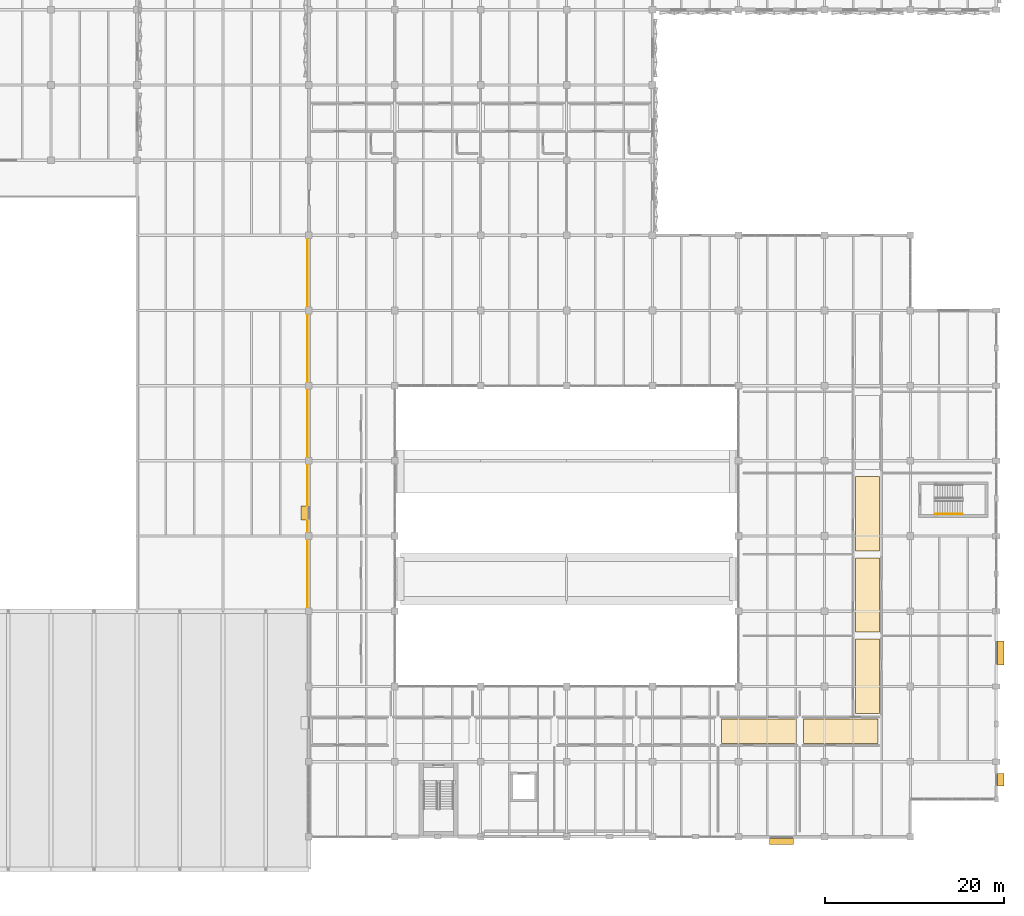
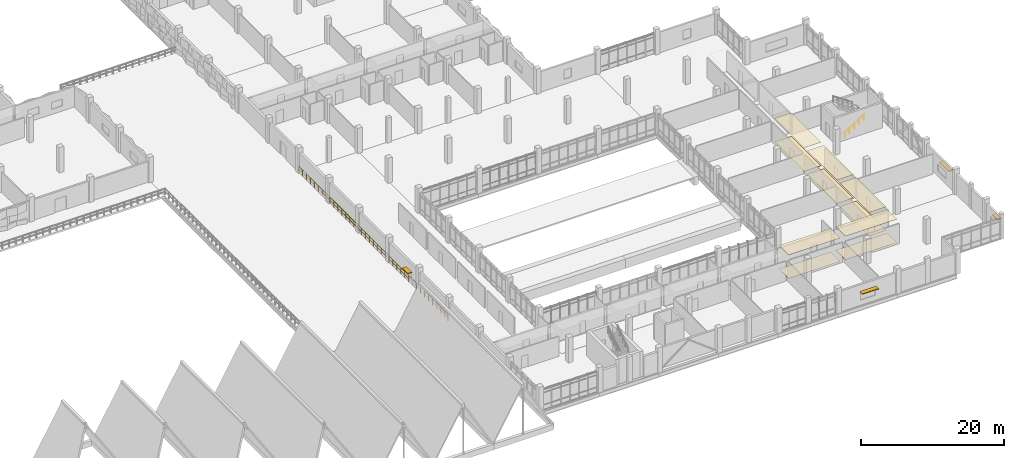
# One storey, part 79 of 86: 10 coverings, 4 shading devices, 2 railings.
"""IFC4 building model written with IfcOpenShell, lengths in metres."""

from ifc_helpers import new_model, si_unit, direction, frame, origin, origin_2d, place, context, subcontext, project, spatial, polyline, rectangle, circle, outline, extrude, material, layer, layer_set, type_object, element, save


model = new_model("IFC4")

# Units and contexts
model_context = context("Model", 3, precision=1e-05, world=origin(), true_north=direction((0.0, 1.0)))
body_context = subcontext(model_context, "Body", "Model", "MODEL_VIEW")
ifc_project = project(units=[si_unit("LENGTHUNIT", "METRE"), si_unit("AREAUNIT", "SQUARE_METRE"), si_unit("VOLUMEUNIT", "CUBIC_METRE"), si_unit("PLANEANGLEUNIT", "RADIAN"), si_unit("MASSUNIT", "GRAM", prefix="KILO")], contexts=[model_context])

# Site, building, storey
site_placement = place(None, origin())
site = spatial("IfcSite", under=ifc_project, at=site_placement, CompositionType="ELEMENT")
building_placement = place(site_placement, origin())
building = spatial("IfcBuilding", under=site, at=building_placement, Name="Oolite Switchyard Hospital", CompositionType="ELEMENT")
storey_placement = place(building_placement, frame((0.0, 0.0, 13.5)))
storey = spatial("IfcBuildingStorey", under=building, at=storey_placement, Name="L03", CompositionType="ELEMENT", Elevation=13.5)

# Coverings
ifc_material_1 = material(Name="Hygienic washable mineral-fibre acoustic ceiling")
ifc_layer_1 = layer(ifc_material_1, 0.0400390625)
ifc_layer_set_1 = layer_set([ifc_layer_1], Name="COV-CEIL-AC60")
covering_type_1 = type_object("IfcCoveringType", Name="COV-CEIL-AC60", PredefinedType="CEILING", material=ifc_layer_set_1)
covering_1_placement = place(storey_placement, frame((0.0, 0.0, 3.985107421875)))
element("IfcCovering", 1, at=covering_1_placement, inside=storey, type_object=covering_type_1, Name="L03 Pediatric Outpatient Clinic Corridor Ceiling 6", PredefinedType="CEILING", context=body_context, shape_type="SweptSolid", body=[
    extrude(outline(polyline([(180.514892578125, 18.85009765625), (188.85791015625, 18.85009765625), (188.85791015625, 21.550048828125), (180.514892578125, 21.550048828125), (180.514892578125, 18.85009765625)])), origin(), (0.0, 0.0, 1.0), 0.039794921875),
])
covering_2_placement = place(storey_placement, frame((0.0, 0.0, 3.985107421875)))
element("IfcCovering", 2, at=covering_2_placement, inside=storey, type_object=covering_type_1, Name="L03 Pediatric Outpatient Clinic Corridor Ceiling 7", PredefinedType="CEILING", context=body_context, shape_type="SweptSolid", body=[
    extrude(outline(polyline([(189.657958984375, 18.85009765625), (198.0009765625, 18.85009765625), (198.0009765625, 21.550048828125), (189.657958984375, 21.550048828125), (189.657958984375, 18.85009765625)])), origin(), (0.0, 0.0, 1.0), 0.039794921875),
])
covering_3_placement = place(storey_placement, frame((0.0, 0.0, 3.985107421875)))
element("IfcCovering", 3, at=covering_3_placement, inside=storey, type_object=covering_type_1, Name="L03 Maternal Fetal Medicine Corridor Ceiling 1", PredefinedType="CEILING", context=body_context, shape_type="SweptSolid", body=[
    extrude(outline(polyline([(195.449951171875, 22.199951171875), (198.14990234375, 22.199951171875), (198.14990234375, 30.47998046875), (195.449951171875, 30.47998046875), (195.449951171875, 22.199951171875)])), origin(), (0.0, 0.0, 1.0), 0.039794921875),
])
covering_4_placement = place(storey_placement, frame((0.0, 0.0, 3.985107421875)))
element("IfcCovering", 4, at=covering_4_placement, inside=storey, type_object=covering_type_1, Name="L03 Maternal Fetal Medicine Corridor Ceiling 2", PredefinedType="CEILING", context=body_context, shape_type="SweptSolid", body=[
    extrude(outline(polyline([(195.449951171875, 31.280029296875), (198.14990234375, 31.280029296875), (198.14990234375, 39.56005859375), (195.449951171875, 39.56005859375), (195.449951171875, 31.280029296875)])), origin(), (0.0, 0.0, 1.0), 0.039794921875),
])
covering_5_placement = place(storey_placement, frame((0.0, 0.0, 3.985107421875)))
element("IfcCovering", 5, at=covering_5_placement, inside=storey, type_object=covering_type_1, Name="L03 Maternal Fetal Medicine Corridor Ceiling 3", PredefinedType="CEILING", context=body_context, shape_type="SweptSolid", body=[
    extrude(outline(polyline([(195.449951171875, 40.360107421875), (198.14990234375, 40.360107421875), (198.14990234375, 48.639892578125), (195.449951171875, 48.639892578125), (195.449951171875, 40.360107421875)])), origin(), (0.0, 0.0, 1.0), 0.039794921875),
])
ifc_material_2 = material(Name="Epoxy terrazzo seamless clinical flooring")
ifc_layer_2 = layer(ifc_material_2, 0.02001953125)
ifc_layer_set_2 = layer_set([ifc_layer_2], Name="COV-FLR-TER20")
covering_type_2 = type_object("IfcCoveringType", Name="COV-FLR-TER20", PredefinedType="FLOORING", material=ifc_layer_set_2)
covering_6_placement = place(storey_placement, origin())
element("IfcCovering", 6, at=covering_6_placement, inside=storey, type_object=covering_type_2, Name="L03 Pediatric Outpatient Clinic Corridor Flooring 6", PredefinedType="FLOORING", context=body_context, shape_type="SweptSolid", body=[
    extrude(outline(polyline([(180.514892578125, 18.85009765625), (188.85791015625, 18.85009765625), (188.85791015625, 21.550048828125), (180.514892578125, 21.550048828125), (180.514892578125, 18.85009765625)])), origin(), (0.0, 0.0, 1.0), 0.02001953125),
])
covering_7_placement = place(storey_placement, origin())
element("IfcCovering", 7, at=covering_7_placement, inside=storey, type_object=covering_type_2, Name="L03 Pediatric Outpatient Clinic Corridor Flooring 7", PredefinedType="FLOORING", context=body_context, shape_type="SweptSolid", body=[
    extrude(outline(polyline([(189.657958984375, 18.85009765625), (198.0009765625, 18.85009765625), (198.0009765625, 21.550048828125), (189.657958984375, 21.550048828125), (189.657958984375, 18.85009765625)])), origin(), (0.0, 0.0, 1.0), 0.02001953125),
])
covering_8_placement = place(storey_placement, origin())
element("IfcCovering", 8, at=covering_8_placement, inside=storey, type_object=covering_type_2, Name="L03 Maternal Fetal Medicine Corridor Flooring 1", PredefinedType="FLOORING", context=body_context, shape_type="SweptSolid", body=[
    extrude(outline(polyline([(195.449951171875, 22.199951171875), (198.14990234375, 22.199951171875), (198.14990234375, 30.47998046875), (195.449951171875, 30.47998046875), (195.449951171875, 22.199951171875)])), origin(), (0.0, 0.0, 1.0), 0.02001953125),
])
covering_9_placement = place(storey_placement, origin())
element("IfcCovering", 9, at=covering_9_placement, inside=storey, type_object=covering_type_2, Name="L03 Maternal Fetal Medicine Corridor Flooring 2", PredefinedType="FLOORING", context=body_context, shape_type="SweptSolid", body=[
    extrude(outline(polyline([(195.449951171875, 31.280029296875), (198.14990234375, 31.280029296875), (198.14990234375, 39.56005859375), (195.449951171875, 39.56005859375), (195.449951171875, 31.280029296875)])), origin(), (0.0, 0.0, 1.0), 0.02001953125),
])
covering_10_placement = place(storey_placement, origin())
element("IfcCovering", 10, at=covering_10_placement, inside=storey, type_object=covering_type_2, Name="L03 Maternal Fetal Medicine Corridor Flooring 3", PredefinedType="FLOORING", context=body_context, shape_type="SweptSolid", body=[
    extrude(outline(polyline([(195.449951171875, 40.360107421875), (198.14990234375, 40.360107421875), (198.14990234375, 48.639892578125), (195.449951171875, 48.639892578125), (195.449951171875, 40.360107421875)])), origin(), (0.0, 0.0, 1.0), 0.02001953125),
])

# Railings
ifc_material_3 = material(Name="Galvanized painted architectural steel guardrail", Category="steel")
railing_type_1 = type_object("IfcRailingType", Name="RL-GUARD-110", PredefinedType="GUARDRAIL", material=ifc_material_3)
railing_1_placement = place(storey_placement, frame((134.25, 33.75, 0.0)))
element("IfcRailing", 11, at=railing_1_placement, inside=storey, type_object=railing_type_1, Name="L03 Terrace Perimeter Guard 6", PredefinedType="GUARDRAIL", context=body_context, shape_type="SweptSolid", body=[
    extrude(circle(Radius=0.02392578125, at=origin_2d()), frame((0.0, 0.0, 1.076171875), z_axis=(0.0, 1.0, 0.0), x_axis=(-1.0, 0.0, 0.0)), (0.0, 0.0, 1.0), 41.699951171875),
    extrude(circle(Radius=0.015625, at=origin_2d()), frame((0.0, 0.0, 0.550048828125), z_axis=(0.0, 1.0, 0.0), x_axis=(-1.0, 0.0, 0.0)), (0.0, 0.0, 1.0), 41.699951171875),
    extrude(circle(Radius=0.02099609375, at=origin_2d()), origin(), (0.0, 0.0, 1.0), 1.052001953125),
    extrude(circle(Radius=0.02099609375, at=origin_2d()), frame((0.0, 1.097412109375, 0.0)), (0.0, 0.0, 1.0), 1.052001953125),
    extrude(circle(Radius=0.02099609375, at=origin_2d()), frame((0.0, 2.19482421875, 0.0)), (0.0, 0.0, 1.0), 1.052001953125),
    extrude(circle(Radius=0.02099609375, at=origin_2d()), frame((0.0, 3.2919921875, 0.0)), (0.0, 0.0, 1.0), 1.052001953125),
    extrude(circle(Radius=0.02099609375, at=origin_2d()), frame((0.0, 4.389404296875, 0.0)), (0.0, 0.0, 1.0), 1.052001953125),
    extrude(circle(Radius=0.02099609375, at=origin_2d()), frame((0.0, 5.48681640625, 0.0)), (0.0, 0.0, 1.0), 1.052001953125),
    extrude(circle(Radius=0.02099609375, at=origin_2d()), frame((0.0, 6.584228515625, 0.0)), (0.0, 0.0, 1.0), 1.052001953125),
    extrude(circle(Radius=0.02099609375, at=origin_2d()), frame((0.0, 7.681640625, 0.0)), (0.0, 0.0, 1.0), 1.052001953125),
    extrude(circle(Radius=0.02099609375, at=origin_2d()), frame((0.0, 8.779052734375, 0.0)), (0.0, 0.0, 1.0), 1.052001953125),
    extrude(circle(Radius=0.02099609375, at=origin_2d()), frame((0.0, 9.876220703125, 0.0)), (0.0, 0.0, 1.0), 1.052001953125),
    extrude(circle(Radius=0.02099609375, at=origin_2d()), frame((0.0, 10.9736328125, 0.0)), (0.0, 0.0, 1.0), 1.052001953125),
    extrude(circle(Radius=0.02099609375, at=origin_2d()), frame((0.0, 12.071044921875, 0.0)), (0.0, 0.0, 1.0), 1.052001953125),
    extrude(circle(Radius=0.02099609375, at=origin_2d()), frame((0.0, 13.16845703125, 0.0)), (0.0, 0.0, 1.0), 1.052001953125),
    extrude(circle(Radius=0.02099609375, at=origin_2d()), frame((0.0, 14.265869140625, 0.0)), (0.0, 0.0, 1.0), 1.052001953125),
    extrude(circle(Radius=0.02099609375, at=origin_2d()), frame((0.0, 15.363037109375, 0.0)), (0.0, 0.0, 1.0), 1.052001953125),
    extrude(circle(Radius=0.02099609375, at=origin_2d()), frame((0.0, 16.46044921875, 0.0)), (0.0, 0.0, 1.0), 1.052001953125),
    extrude(circle(Radius=0.02099609375, at=origin_2d()), frame((0.0, 17.557861328125, 0.0)), (0.0, 0.0, 1.0), 1.052001953125),
    extrude(circle(Radius=0.02099609375, at=origin_2d()), frame((0.0, 18.6552734375, 0.0)), (0.0, 0.0, 1.0), 1.052001953125),
    extrude(circle(Radius=0.02099609375, at=origin_2d()), frame((0.0, 19.752685546875, 0.0)), (0.0, 0.0, 1.0), 1.052001953125),
    extrude(circle(Radius=0.02099609375, at=origin_2d()), frame((0.0, 20.85009765625, 0.0)), (0.0, 0.0, 1.0), 1.052001953125),
    extrude(circle(Radius=0.02099609375, at=origin_2d()), frame((0.0, 21.947265625, 0.0)), (0.0, 0.0, 1.0), 1.052001953125),
    extrude(circle(Radius=0.02099609375, at=origin_2d()), frame((0.0, 23.044677734375, 0.0)), (0.0, 0.0, 1.0), 1.052001953125),
    extrude(circle(Radius=0.02099609375, at=origin_2d()), frame((0.0, 24.14208984375, 0.0)), (0.0, 0.0, 1.0), 1.052001953125),
    extrude(circle(Radius=0.02099609375, at=origin_2d()), frame((0.0, 25.239501953125, 0.0)), (0.0, 0.0, 1.0), 1.052001953125),
    extrude(circle(Radius=0.02099609375, at=origin_2d()), frame((0.0, 26.3369140625, 0.0)), (0.0, 0.0, 1.0), 1.052001953125),
    extrude(circle(Radius=0.02099609375, at=origin_2d()), frame((0.0, 27.43408203125, 0.0)), (0.0, 0.0, 1.0), 1.052001953125),
    extrude(circle(Radius=0.02099609375, at=origin_2d()), frame((0.0, 28.531494140625, 0.0)), (0.0, 0.0, 1.0), 1.052001953125),
    extrude(circle(Radius=0.02099609375, at=origin_2d()), frame((0.0, 29.62890625, 0.0)), (0.0, 0.0, 1.0), 1.052001953125),
    extrude(circle(Radius=0.02099609375, at=origin_2d()), frame((0.0, 30.726318359375, 0.0)), (0.0, 0.0, 1.0), 1.052001953125),
    extrude(circle(Radius=0.02099609375, at=origin_2d()), frame((0.0, 31.82373046875, 0.0)), (0.0, 0.0, 1.0), 1.052001953125),
    extrude(circle(Radius=0.02099609375, at=origin_2d()), frame((0.0, 32.9208984375, 0.0)), (0.0, 0.0, 1.0), 1.052001953125),
    extrude(circle(Radius=0.02099609375, at=origin_2d()), frame((0.0, 34.018310546875, 0.0)), (0.0, 0.0, 1.0), 1.052001953125),
    extrude(circle(Radius=0.02099609375, at=origin_2d()), frame((0.0, 35.11572265625, 0.0)), (0.0, 0.0, 1.0), 1.052001953125),
    extrude(circle(Radius=0.02099609375, at=origin_2d()), frame((0.0, 36.213134765625, 0.0)), (0.0, 0.0, 1.0), 1.052001953125),
    extrude(circle(Radius=0.02099609375, at=origin_2d()), frame((0.0, 37.310546875, 0.0)), (0.0, 0.0, 1.0), 1.052001953125),
    extrude(circle(Radius=0.02099609375, at=origin_2d()), frame((0.0, 38.407958984375, 0.0)), (0.0, 0.0, 1.0), 1.052001953125),
    extrude(circle(Radius=0.02099609375, at=origin_2d()), frame((0.0, 39.505126953125, 0.0)), (0.0, 0.0, 1.0), 1.052001953125),
    extrude(circle(Radius=0.02099609375, at=origin_2d()), frame((0.0, 40.6025390625, 0.0)), (0.0, 0.0, 1.0), 1.052001953125),
    extrude(circle(Radius=0.02099609375, at=origin_2d()), frame((0.0, 41.699951171875, 0.0)), (0.0, 0.0, 1.0), 1.052001953125),
])
ifc_material_4 = material(Name="Galvanized painted architectural steel handrail", Category="steel")
railing_type_2 = type_object("IfcRailingType", Name="RL-STAIR-HND", PredefinedType="HANDRAIL", material=ifc_material_4)
railing_2_placement = place(storey_placement, frame((204.360107421875, 44.449951171875, 0.17919921875)))
element("IfcRailing", 12, at=railing_2_placement, inside=storey, type_object=railing_type_2, Name="L03 ST-06 stair handrail 1", PredefinedType="HANDRAIL", context=body_context, shape_type="SweptSolid", body=[
    extrude(circle(Radius=0.02392578125, at=origin_2d()), frame((0.0, 0.0, 0.8759765625), z_axis=(0.842319903074, 0.0, 0.538977903893), x_axis=(0.0, 1.0, 0.0)), (0.0, 0.0, 1.0), 3.65625),
    extrude(circle(Radius=0.02099609375, at=origin_2d()), origin(), (0.0, 0.0, 1.0), 0.851806640625),
    extrude(circle(Radius=0.02099609375, at=origin_2d()), frame((0.77001953125, 0.0, 0.49267578125)), (0.0, 0.0, 1.0), 0.851806640625),
    extrude(circle(Radius=0.02099609375, at=origin_2d()), frame((1.5400390625, 0.0, 0.9853515625)), (0.0, 0.0, 1.0), 0.851806640625),
    extrude(circle(Radius=0.02099609375, at=origin_2d()), frame((2.309814453125, 0.0, 1.47802734375)), (0.0, 0.0, 1.0), 0.851806640625),
    extrude(circle(Radius=0.02099609375, at=origin_2d()), frame((3.079833984375, 0.0, 1.970703125)), (0.0, 0.0, 1.0), 0.851806640625),
])

# Shading devices
ifc_material_5 = material(Name="Precast oolitic limestone architectural concrete C40/50", Category="masonry")
ifc_layer_3 = layer(ifc_material_5, 0.1201171875)
ifc_layer_set_3 = layer_set([ifc_layer_3], Name="SHD-BRISE-900")
shading_device_type = type_object("IfcShadingDeviceType", Name="SHD-BRISE-900", PredefinedType="AWNING", material=ifc_layer_set_3)
shading_device_1_placement = place(storey_placement, frame((187.199951171875, 7.889892578125, 2.260009765625), z_axis=(0.0, 0.0, 1.0), x_axis=(1.0, 0.0, 0.0)))
element("IfcShadingDevice", 13, at=shading_device_1_placement, inside=storey, type_object=shading_device_type, Name="L03 Classical Brise-Soleil Sunshade 40", PredefinedType="AWNING", context=body_context, shape_type="SweptSolid", body=[
    extrude(rectangle(XDim=2.639892578125, YDim=0.699951171875, at=origin_2d()), origin(), (0.0, 0.0, 1.0), 0.1201171875),
])
shading_device_2_placement = place(storey_placement, frame((133.889892578125, 44.5859375, 2.06005859375), z_axis=(0.0, 0.0, 1.0), x_axis=(0.0, 1.0, 0.0)))
element("IfcShadingDevice", 14, at=shading_device_2_placement, inside=storey, type_object=shading_device_type, Name="L03 Classical Brise-Soleil Sunshade 42", PredefinedType="AWNING", context=body_context, shape_type="SweptSolid", body=[
    extrude(rectangle(XDim=1.5400390625, YDim=0.699951171875, at=origin_2d()), origin(), (0.0, 0.0, 1.0), 0.1201171875),
])
shading_device_3_placement = place(storey_placement, frame((211.699951171875, 14.780029296875, 2.06005859375), z_axis=(0.0, 0.0, 1.0), x_axis=(0.0, 1.0, 0.0)))
element("IfcShadingDevice", 15, at=shading_device_3_placement, inside=storey, type_object=shading_device_type, Name="L03 Classical Brise-Soleil Sunshade 43", PredefinedType="AWNING", context=body_context, shape_type="SweptSolid", body=[
    extrude(rectangle(XDim=1.389892578125, YDim=0.699951171875, at=origin_2d()), origin(), (0.0, 0.0, 1.0), 0.1201171875),
])
shading_device_4_placement = place(storey_placement, frame((211.7099609375, 28.944091796875, 2.06005859375), z_axis=(0.0, 0.0, 1.0), x_axis=(0.0, 1.0, 0.0)))
element("IfcShadingDevice", 16, at=shading_device_4_placement, inside=storey, type_object=shading_device_type, Name="L03 Classical Brise-Soleil Sunshade 44", PredefinedType="AWNING", context=body_context, shape_type="SweptSolid", body=[
    extrude(rectangle(XDim=2.639892578125, YDim=0.699951171875, at=origin_2d()), origin(), (0.0, 0.0, 1.0), 0.1201171875),
])

save(model, "model.ifc")
